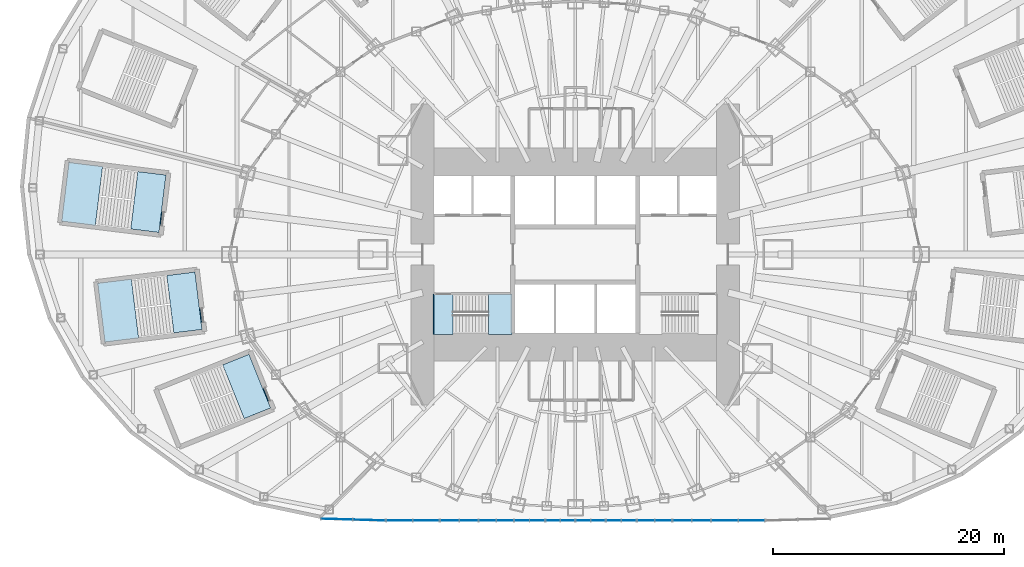
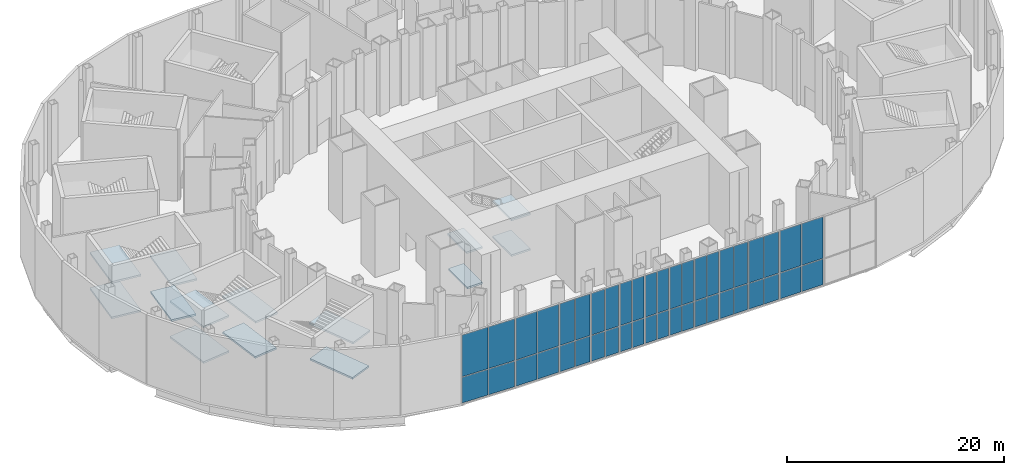
# One storey, part 11 of 74: 44 plates, 14 slabs, 15 elements without a shape of their own.
"""IFC4 building model written with IfcOpenShell, lengths in metres."""

from ifc_helpers import new_model, si_unit, direction, frame, origin, origin_2d, place, context, subcontext, project, spatial, polyline, rectangle, outline, extrude, material, layer, layer_set, type_object, element, aggregate, save


model = new_model("IFC4")

# Units and contexts
model_context = context("Model", 3, precision=1e-05, world=origin(), true_north=direction((0.0, 1.0)))
body_context = subcontext(model_context, "Body", "Model", "MODEL_VIEW")
ifc_project = project(units=[si_unit("LENGTHUNIT", "METRE"), si_unit("AREAUNIT", "SQUARE_METRE"), si_unit("VOLUMEUNIT", "CUBIC_METRE"), si_unit("PLANEANGLEUNIT", "RADIAN"), si_unit("MASSUNIT", "GRAM", prefix="KILO")], contexts=[model_context])

# Site, building, storey
site_placement = place(None, origin())
site = spatial("IfcSite", under=ifc_project, at=site_placement, CompositionType="ELEMENT")
building_placement = place(site_placement, origin())
building = spatial("IfcBuilding", under=site, at=building_placement, Name="Lantaw Convention Tower", CompositionType="ELEMENT")
storey_placement = place(building_placement, frame((0.0, 0.0, 6.5)))
storey = spatial("IfcBuildingStorey", under=building, at=storey_placement, Name="L01", CompositionType="ELEMENT", Elevation=6.5)

# Curtain wall, plates
ifc_material_1 = material(Name="Aluminium framed curtain wall", Category="aluminium")
curtain_wall_type = type_object("IfcCurtainWallType", Name="Podium storefront curtain wall, pale aluminium", PredefinedType="USERDEFINED", material=ifc_material_1)
curtain_wall_1_placement = place(storey_placement, origin())
curtain_wall_1 = element("IfcCurtainWall", 1, at=curtain_wall_1_placement, inside=storey, type_object=curtain_wall_type, Name="Podium storefront curtain wall, pale aluminium L01", ObjectType="STOREFRONT", PredefinedType="USERDEFINED")
ifc_material_2 = material(Name="Laminated clear glass", Category="glass")
ifc_layer_1 = layer(ifc_material_2, 0.031982421875)
ifc_layer_set_1 = layer_set([ifc_layer_1], Name="CW-P panel 32")
plate_type = type_object("IfcPlateType", Name="CW-P panel 32", PredefinedType="CURTAIN_PANEL", material=ifc_layer_set_1)
plate_1_placement = place(storey_placement, frame((-20.622802734375, -22.879638671875, 0.080078125), z_axis=(0.0, 0.0, 1.0), x_axis=(0.99959230263, -0.028552206976, 0.0)))
plate_1 = element("IfcPlate", 2, at=plate_1_placement, type_object=plate_type, Name="CW-P panel 1.1", PredefinedType="CURTAIN_PANEL", context=body_context, shape_type="SweptSolid", body=[
    extrude(rectangle(XDim=2.705810546875, YDim=0.031982421875, at=origin_2d()), origin(), (0.0, 0.0, 1.0), 2.8798828125),
])
plate_2_placement = place(storey_placement, frame((-20.622802734375, -22.879638671875, 3.0400390625), z_axis=(0.0, 0.0, 1.0), x_axis=(0.99959230263, -0.028552206976, 0.0)))
plate_2 = element("IfcPlate", 3, at=plate_2_placement, type_object=plate_type, Name="CW-P panel 1.2", PredefinedType="CURTAIN_PANEL", context=body_context, shape_type="SweptSolid", body=[
    extrude(rectangle(XDim=2.705810546875, YDim=0.031982421875, at=origin_2d()), origin(), (0.0, 0.0, 1.0), 4.679931640625),
])
plate_3_placement = place(storey_placement, frame((-17.838134765625, -22.958984375, 0.080078125), z_axis=(0.0, 0.0, 1.0), x_axis=(0.99959230263, -0.028552206976, 0.0)))
plate_3 = element("IfcPlate", 4, at=plate_3_placement, type_object=plate_type, Name="CW-P panel 2.1", PredefinedType="CURTAIN_PANEL", context=body_context, shape_type="SweptSolid", body=[
    extrude(rectangle(XDim=2.705810546875, YDim=0.031982421875, at=origin_2d()), origin(), (0.0, 0.0, 1.0), 2.8798828125),
])
plate_4_placement = place(storey_placement, frame((-17.838134765625, -22.958984375, 3.0400390625), z_axis=(0.0, 0.0, 1.0), x_axis=(0.99959230263, -0.028552206976, 0.0)))
plate_4 = element("IfcPlate", 5, at=plate_4_placement, type_object=plate_type, Name="CW-P panel 2.2", PredefinedType="CURTAIN_PANEL", context=body_context, shape_type="SweptSolid", body=[
    extrude(rectangle(XDim=2.705810546875, YDim=0.031982421875, at=origin_2d()), origin(), (0.0, 0.0, 1.0), 4.679931640625),
])
aggregate(curtain_wall_1, [plate_1, plate_2, plate_3, plate_4])

curtain_wall_2_placement = place(storey_placement, origin())
curtain_wall_2 = element("IfcCurtainWall", 6, at=curtain_wall_2_placement, inside=storey, type_object=curtain_wall_type, Name="Podium storefront curtain wall, pale aluminium L01", ObjectType="STOREFRONT", PredefinedType="USERDEFINED")
plate_5_placement = place(storey_placement, frame((-15.214111328125, -23.0, 0.080078125), z_axis=(0.0, 0.0, 1.0), x_axis=(1.0, 0.0, 0.0)))
plate_5 = element("IfcPlate", 7, at=plate_5_placement, type_object=plate_type, Name="CW-P panel 1.1", PredefinedType="CURTAIN_PANEL", context=body_context, shape_type="SweptSolid", body=[
    extrude(rectangle(XDim=2.223388671875, YDim=0.031982421875, at=origin_2d()), origin(), (0.0, 0.0, 1.0), 2.8798828125),
])
plate_6_placement = place(storey_placement, frame((-15.214111328125, -23.0, 3.0400390625), z_axis=(0.0, 0.0, 1.0), x_axis=(1.0, 0.0, 0.0)))
plate_6 = element("IfcPlate", 8, at=plate_6_placement, type_object=plate_type, Name="CW-P panel 1.2", PredefinedType="CURTAIN_PANEL", context=body_context, shape_type="SweptSolid", body=[
    extrude(rectangle(XDim=2.223388671875, YDim=0.031982421875, at=origin_2d()), origin(), (0.0, 0.0, 1.0), 4.679931640625),
])
plate_7_placement = place(storey_placement, frame((-12.91064453125, -23.0, 0.080078125), z_axis=(0.0, 0.0, 1.0), x_axis=(1.0, 0.0, 0.0)))
plate_7 = element("IfcPlate", 9, at=plate_7_placement, type_object=plate_type, Name="CW-P panel 2.1", PredefinedType="CURTAIN_PANEL", context=body_context, shape_type="SweptSolid", body=[
    extrude(rectangle(XDim=2.223388671875, YDim=0.031982421875, at=origin_2d()), origin(), (0.0, 0.0, 1.0), 2.8798828125),
])
plate_8_placement = place(storey_placement, frame((-12.91064453125, -23.0, 3.0400390625), z_axis=(0.0, 0.0, 1.0), x_axis=(1.0, 0.0, 0.0)))
plate_8 = element("IfcPlate", 10, at=plate_8_placement, type_object=plate_type, Name="CW-P panel 2.2", PredefinedType="CURTAIN_PANEL", context=body_context, shape_type="SweptSolid", body=[
    extrude(rectangle(XDim=2.223388671875, YDim=0.031982421875, at=origin_2d()), origin(), (0.0, 0.0, 1.0), 4.679931640625),
])
aggregate(curtain_wall_2, [plate_5, plate_6, plate_7, plate_8])

curtain_wall_3_placement = place(storey_placement, origin())
curtain_wall_3 = element("IfcCurtainWall", 11, at=curtain_wall_3_placement, inside=storey, type_object=curtain_wall_type, Name="Podium storefront curtain wall, pale aluminium L01", ObjectType="STOREFRONT", PredefinedType="USERDEFINED")
plate_9_placement = place(storey_placement, frame((-10.862060546875, -23.0, 0.080078125), z_axis=(0.0, 0.0, 1.0), x_axis=(1.0, 0.0, 0.0)))
plate_9 = element("IfcPlate", 12, at=plate_9_placement, type_object=plate_type, Name="CW-P panel 1.1", PredefinedType="CURTAIN_PANEL", context=body_context, shape_type="SweptSolid", body=[
    extrude(rectangle(XDim=1.553955078125, YDim=0.031982421875, at=origin_2d()), origin(), (0.0, 0.0, 1.0), 2.8798828125),
])
plate_10_placement = place(storey_placement, frame((-10.862060546875, -23.0, 3.0400390625), z_axis=(0.0, 0.0, 1.0), x_axis=(1.0, 0.0, 0.0)))
plate_10 = element("IfcPlate", 13, at=plate_10_placement, type_object=plate_type, Name="CW-P panel 1.2", PredefinedType="CURTAIN_PANEL", context=body_context, shape_type="SweptSolid", body=[
    extrude(rectangle(XDim=1.553955078125, YDim=0.031982421875, at=origin_2d()), origin(), (0.0, 0.0, 1.0), 4.679931640625),
])
plate_11_placement = place(storey_placement, frame((-9.228271484375, -23.0, 0.080078125), z_axis=(0.0, 0.0, 1.0), x_axis=(1.0, 0.0, 0.0)))
plate_11 = element("IfcPlate", 14, at=plate_11_placement, type_object=plate_type, Name="CW-P panel 2.1", PredefinedType="CURTAIN_PANEL", context=body_context, shape_type="SweptSolid", body=[
    extrude(rectangle(XDim=1.553955078125, YDim=0.031982421875, at=origin_2d()), origin(), (0.0, 0.0, 1.0), 2.8798828125),
])
plate_12_placement = place(storey_placement, frame((-9.228271484375, -23.0, 3.0400390625), z_axis=(0.0, 0.0, 1.0), x_axis=(1.0, 0.0, 0.0)))
plate_12 = element("IfcPlate", 15, at=plate_12_placement, type_object=plate_type, Name="CW-P panel 2.2", PredefinedType="CURTAIN_PANEL", context=body_context, shape_type="SweptSolid", body=[
    extrude(rectangle(XDim=1.553955078125, YDim=0.031982421875, at=origin_2d()), origin(), (0.0, 0.0, 1.0), 4.679931640625),
])
aggregate(curtain_wall_3, [plate_9, plate_10, plate_11, plate_12])

curtain_wall_4_placement = place(storey_placement, origin())
curtain_wall_4 = element("IfcCurtainWall", 16, at=curtain_wall_4_placement, inside=storey, type_object=curtain_wall_type, Name="Podium storefront curtain wall, pale aluminium L01", ObjectType="STOREFRONT", PredefinedType="USERDEFINED")
plate_13_placement = place(storey_placement, frame((-7.5859375, -23.0, 0.080078125), z_axis=(0.0, 0.0, 1.0), x_axis=(1.0, 0.0, 0.0)))
plate_13 = element("IfcPlate", 17, at=plate_13_placement, type_object=plate_type, Name="CW-P panel 1.1", PredefinedType="CURTAIN_PANEL", context=body_context, shape_type="SweptSolid", body=[
    extrude(rectangle(XDim=1.41064453125, YDim=0.031982421875, at=origin_2d()), origin(), (0.0, 0.0, 1.0), 2.8798828125),
])
plate_14_placement = place(storey_placement, frame((-7.5859375, -23.0, 3.0400390625), z_axis=(0.0, 0.0, 1.0), x_axis=(1.0, 0.0, 0.0)))
plate_14 = element("IfcPlate", 18, at=plate_14_placement, type_object=plate_type, Name="CW-P panel 1.2", PredefinedType="CURTAIN_PANEL", context=body_context, shape_type="SweptSolid", body=[
    extrude(rectangle(XDim=1.41064453125, YDim=0.031982421875, at=origin_2d()), origin(), (0.0, 0.0, 1.0), 4.679931640625),
])
plate_15_placement = place(storey_placement, frame((-6.09521484375, -23.0, 0.080078125), z_axis=(0.0, 0.0, 1.0), x_axis=(1.0, 0.0, 0.0)))
plate_15 = element("IfcPlate", 19, at=plate_15_placement, type_object=plate_type, Name="CW-P panel 2.1", PredefinedType="CURTAIN_PANEL", context=body_context, shape_type="SweptSolid", body=[
    extrude(rectangle(XDim=1.41064453125, YDim=0.031982421875, at=origin_2d()), origin(), (0.0, 0.0, 1.0), 2.8798828125),
])
plate_16_placement = place(storey_placement, frame((-6.09521484375, -23.0, 3.0400390625), z_axis=(0.0, 0.0, 1.0), x_axis=(1.0, 0.0, 0.0)))
plate_16 = element("IfcPlate", 20, at=plate_16_placement, type_object=plate_type, Name="CW-P panel 2.2", PredefinedType="CURTAIN_PANEL", context=body_context, shape_type="SweptSolid", body=[
    extrude(rectangle(XDim=1.41064453125, YDim=0.031982421875, at=origin_2d()), origin(), (0.0, 0.0, 1.0), 4.679931640625),
])
aggregate(curtain_wall_4, [plate_13, plate_14, plate_15, plate_16])

curtain_wall_5_placement = place(storey_placement, origin())
curtain_wall_5 = element("IfcCurtainWall", 21, at=curtain_wall_5_placement, inside=storey, type_object=curtain_wall_type, Name="Podium storefront curtain wall, pale aluminium L01", ObjectType="STOREFRONT", PredefinedType="USERDEFINED")
plate_17_placement = place(storey_placement, frame((-4.61767578125, -23.0, 0.080078125), z_axis=(0.0, 0.0, 1.0), x_axis=(1.0, 0.0, 0.0)))
plate_17 = element("IfcPlate", 22, at=plate_17_placement, type_object=plate_type, Name="CW-P panel 1.1", PredefinedType="CURTAIN_PANEL", context=body_context, shape_type="SweptSolid", body=[
    extrude(rectangle(XDim=1.224609375, YDim=0.031982421875, at=origin_2d()), origin(), (0.0, 0.0, 1.0), 2.8798828125),
])
plate_18_placement = place(storey_placement, frame((-4.61767578125, -23.0, 3.0400390625), z_axis=(0.0, 0.0, 1.0), x_axis=(1.0, 0.0, 0.0)))
plate_18 = element("IfcPlate", 23, at=plate_18_placement, type_object=plate_type, Name="CW-P panel 1.2", PredefinedType="CURTAIN_PANEL", context=body_context, shape_type="SweptSolid", body=[
    extrude(rectangle(XDim=1.224609375, YDim=0.031982421875, at=origin_2d()), origin(), (0.0, 0.0, 1.0), 4.679931640625),
])
plate_19_placement = place(storey_placement, frame((-3.31298828125, -23.0, 0.080078125), z_axis=(0.0, 0.0, 1.0), x_axis=(1.0, 0.0, 0.0)))
plate_19 = element("IfcPlate", 24, at=plate_19_placement, type_object=plate_type, Name="CW-P panel 2.1", PredefinedType="CURTAIN_PANEL", context=body_context, shape_type="SweptSolid", body=[
    extrude(rectangle(XDim=1.224609375, YDim=0.031982421875, at=origin_2d()), origin(), (0.0, 0.0, 1.0), 2.8798828125),
])
plate_20_placement = place(storey_placement, frame((-3.31298828125, -23.0, 3.0400390625), z_axis=(0.0, 0.0, 1.0), x_axis=(1.0, 0.0, 0.0)))
plate_20 = element("IfcPlate", 25, at=plate_20_placement, type_object=plate_type, Name="CW-P panel 2.2", PredefinedType="CURTAIN_PANEL", context=body_context, shape_type="SweptSolid", body=[
    extrude(rectangle(XDim=1.224609375, YDim=0.031982421875, at=origin_2d()), origin(), (0.0, 0.0, 1.0), 4.679931640625),
])
aggregate(curtain_wall_5, [plate_17, plate_18, plate_19, plate_20])

curtain_wall_6_placement = place(storey_placement, origin())
curtain_wall_6 = element("IfcCurtainWall", 26, at=curtain_wall_6_placement, inside=storey, type_object=curtain_wall_type, Name="Podium storefront curtain wall, pale aluminium L01", ObjectType="STOREFRONT", PredefinedType="USERDEFINED")
plate_21_placement = place(storey_placement, frame((-1.9453125, -23.0, 0.080078125), z_axis=(0.0, 0.0, 1.0), x_axis=(1.0, 0.0, 0.0)))
plate_21 = element("IfcPlate", 27, at=plate_21_placement, type_object=plate_type, Name="CW-P panel 1.1", PredefinedType="CURTAIN_PANEL", context=body_context, shape_type="SweptSolid", body=[
    extrude(rectangle(XDim=1.190185546875, YDim=0.031982421875, at=origin_2d()), origin(), (0.0, 0.0, 1.0), 2.8798828125),
])
plate_22_placement = place(storey_placement, frame((-1.9453125, -23.0, 3.0400390625), z_axis=(0.0, 0.0, 1.0), x_axis=(1.0, 0.0, 0.0)))
plate_22 = element("IfcPlate", 28, at=plate_22_placement, type_object=plate_type, Name="CW-P panel 1.2", PredefinedType="CURTAIN_PANEL", context=body_context, shape_type="SweptSolid", body=[
    extrude(rectangle(XDim=1.190185546875, YDim=0.031982421875, at=origin_2d()), origin(), (0.0, 0.0, 1.0), 4.679931640625),
])
plate_23_placement = place(storey_placement, frame((-0.675048828125, -23.0, 0.080078125), z_axis=(0.0, 0.0, 1.0), x_axis=(1.0, 0.0, 0.0)))
plate_23 = element("IfcPlate", 29, at=plate_23_placement, type_object=plate_type, Name="CW-P panel 2.1", PredefinedType="CURTAIN_PANEL", context=body_context, shape_type="SweptSolid", body=[
    extrude(rectangle(XDim=1.190185546875, YDim=0.031982421875, at=origin_2d()), origin(), (0.0, 0.0, 1.0), 2.8798828125),
])
plate_24_placement = place(storey_placement, frame((-0.675048828125, -23.0, 3.0400390625), z_axis=(0.0, 0.0, 1.0), x_axis=(1.0, 0.0, 0.0)))
plate_24 = element("IfcPlate", 30, at=plate_24_placement, type_object=plate_type, Name="CW-P panel 2.2", PredefinedType="CURTAIN_PANEL", context=body_context, shape_type="SweptSolid", body=[
    extrude(rectangle(XDim=1.190185546875, YDim=0.031982421875, at=origin_2d()), origin(), (0.0, 0.0, 1.0), 4.679931640625),
])
aggregate(curtain_wall_6, [plate_21, plate_22, plate_23, plate_24])

curtain_wall_7_placement = place(storey_placement, origin())
curtain_wall_7 = element("IfcCurtainWall", 31, at=curtain_wall_7_placement, inside=storey, type_object=curtain_wall_type, Name="Podium storefront curtain wall, pale aluminium L01", ObjectType="STOREFRONT", PredefinedType="USERDEFINED")
plate_25_placement = place(storey_placement, frame((0.675048828125, -23.0, 0.080078125), z_axis=(0.0, 0.0, 1.0), x_axis=(1.0, 0.0, 0.0)))
plate_25 = element("IfcPlate", 32, at=plate_25_placement, type_object=plate_type, Name="CW-P panel 1.1", PredefinedType="CURTAIN_PANEL", context=body_context, shape_type="SweptSolid", body=[
    extrude(rectangle(XDim=1.190185546875, YDim=0.031982421875, at=origin_2d()), origin(), (0.0, 0.0, 1.0), 2.8798828125),
])
plate_26_placement = place(storey_placement, frame((0.675048828125, -23.0, 3.0400390625), z_axis=(0.0, 0.0, 1.0), x_axis=(1.0, 0.0, 0.0)))
plate_26 = element("IfcPlate", 33, at=plate_26_placement, type_object=plate_type, Name="CW-P panel 1.2", PredefinedType="CURTAIN_PANEL", context=body_context, shape_type="SweptSolid", body=[
    extrude(rectangle(XDim=1.190185546875, YDim=0.031982421875, at=origin_2d()), origin(), (0.0, 0.0, 1.0), 4.679931640625),
])
plate_27_placement = place(storey_placement, frame((1.9453125, -23.0, 0.080078125), z_axis=(0.0, 0.0, 1.0), x_axis=(1.0, 0.0, 0.0)))
plate_27 = element("IfcPlate", 34, at=plate_27_placement, type_object=plate_type, Name="CW-P panel 2.1", PredefinedType="CURTAIN_PANEL", context=body_context, shape_type="SweptSolid", body=[
    extrude(rectangle(XDim=1.190185546875, YDim=0.031982421875, at=origin_2d()), origin(), (0.0, 0.0, 1.0), 2.8798828125),
])
plate_28_placement = place(storey_placement, frame((1.9453125, -23.0, 3.0400390625), z_axis=(0.0, 0.0, 1.0), x_axis=(1.0, 0.0, 0.0)))
plate_28 = element("IfcPlate", 35, at=plate_28_placement, type_object=plate_type, Name="CW-P panel 2.2", PredefinedType="CURTAIN_PANEL", context=body_context, shape_type="SweptSolid", body=[
    extrude(rectangle(XDim=1.190185546875, YDim=0.031982421875, at=origin_2d()), origin(), (0.0, 0.0, 1.0), 4.679931640625),
])
aggregate(curtain_wall_7, [plate_25, plate_26, plate_27, plate_28])

curtain_wall_8_placement = place(storey_placement, origin())
curtain_wall_8 = element("IfcCurtainWall", 36, at=curtain_wall_8_placement, inside=storey, type_object=curtain_wall_type, Name="Podium storefront curtain wall, pale aluminium L01", ObjectType="STOREFRONT", PredefinedType="USERDEFINED")
plate_29_placement = place(storey_placement, frame((3.31298828125, -23.0, 0.080078125), z_axis=(0.0, 0.0, 1.0), x_axis=(1.0, 0.0, 0.0)))
plate_29 = element("IfcPlate", 37, at=plate_29_placement, type_object=plate_type, Name="CW-P panel 1.1", PredefinedType="CURTAIN_PANEL", context=body_context, shape_type="SweptSolid", body=[
    extrude(rectangle(XDim=1.224609375, YDim=0.031982421875, at=origin_2d()), origin(), (0.0, 0.0, 1.0), 2.8798828125),
])
plate_30_placement = place(storey_placement, frame((3.31298828125, -23.0, 3.0400390625), z_axis=(0.0, 0.0, 1.0), x_axis=(1.0, 0.0, 0.0)))
plate_30 = element("IfcPlate", 38, at=plate_30_placement, type_object=plate_type, Name="CW-P panel 1.2", PredefinedType="CURTAIN_PANEL", context=body_context, shape_type="SweptSolid", body=[
    extrude(rectangle(XDim=1.224609375, YDim=0.031982421875, at=origin_2d()), origin(), (0.0, 0.0, 1.0), 4.679931640625),
])
plate_31_placement = place(storey_placement, frame((4.61767578125, -23.0, 0.080078125), z_axis=(0.0, 0.0, 1.0), x_axis=(1.0, 0.0, 0.0)))
plate_31 = element("IfcPlate", 39, at=plate_31_placement, type_object=plate_type, Name="CW-P panel 2.1", PredefinedType="CURTAIN_PANEL", context=body_context, shape_type="SweptSolid", body=[
    extrude(rectangle(XDim=1.224609375, YDim=0.031982421875, at=origin_2d()), origin(), (0.0, 0.0, 1.0), 2.8798828125),
])
plate_32_placement = place(storey_placement, frame((4.61767578125, -23.0, 3.0400390625), z_axis=(0.0, 0.0, 1.0), x_axis=(1.0, 0.0, 0.0)))
plate_32 = element("IfcPlate", 40, at=plate_32_placement, type_object=plate_type, Name="CW-P panel 2.2", PredefinedType="CURTAIN_PANEL", context=body_context, shape_type="SweptSolid", body=[
    extrude(rectangle(XDim=1.224609375, YDim=0.031982421875, at=origin_2d()), origin(), (0.0, 0.0, 1.0), 4.679931640625),
])
aggregate(curtain_wall_8, [plate_29, plate_30, plate_31, plate_32])

curtain_wall_9_placement = place(storey_placement, origin())
curtain_wall_9 = element("IfcCurtainWall", 41, at=curtain_wall_9_placement, inside=storey, type_object=curtain_wall_type, Name="Podium storefront curtain wall, pale aluminium L01", ObjectType="STOREFRONT", PredefinedType="USERDEFINED")
plate_33_placement = place(storey_placement, frame((6.09521484375, -23.0, 0.080078125), z_axis=(0.0, 0.0, 1.0), x_axis=(1.0, 0.0, 0.0)))
plate_33 = element("IfcPlate", 42, at=plate_33_placement, type_object=plate_type, Name="CW-P panel 1.1", PredefinedType="CURTAIN_PANEL", context=body_context, shape_type="SweptSolid", body=[
    extrude(rectangle(XDim=1.41064453125, YDim=0.031982421875, at=origin_2d()), origin(), (0.0, 0.0, 1.0), 2.8798828125),
])
plate_34_placement = place(storey_placement, frame((6.09521484375, -23.0, 3.0400390625), z_axis=(0.0, 0.0, 1.0), x_axis=(1.0, 0.0, 0.0)))
plate_34 = element("IfcPlate", 43, at=plate_34_placement, type_object=plate_type, Name="CW-P panel 1.2", PredefinedType="CURTAIN_PANEL", context=body_context, shape_type="SweptSolid", body=[
    extrude(rectangle(XDim=1.41064453125, YDim=0.031982421875, at=origin_2d()), origin(), (0.0, 0.0, 1.0), 4.679931640625),
])
plate_35_placement = place(storey_placement, frame((7.5859375, -23.0, 0.080078125), z_axis=(0.0, 0.0, 1.0), x_axis=(1.0, 0.0, 0.0)))
plate_35 = element("IfcPlate", 44, at=plate_35_placement, type_object=plate_type, Name="CW-P panel 2.1", PredefinedType="CURTAIN_PANEL", context=body_context, shape_type="SweptSolid", body=[
    extrude(rectangle(XDim=1.41064453125, YDim=0.031982421875, at=origin_2d()), origin(), (0.0, 0.0, 1.0), 2.8798828125),
])
plate_36_placement = place(storey_placement, frame((7.5859375, -23.0, 3.0400390625), z_axis=(0.0, 0.0, 1.0), x_axis=(1.0, 0.0, 0.0)))
plate_36 = element("IfcPlate", 45, at=plate_36_placement, type_object=plate_type, Name="CW-P panel 2.2", PredefinedType="CURTAIN_PANEL", context=body_context, shape_type="SweptSolid", body=[
    extrude(rectangle(XDim=1.41064453125, YDim=0.031982421875, at=origin_2d()), origin(), (0.0, 0.0, 1.0), 4.679931640625),
])
aggregate(curtain_wall_9, [plate_33, plate_34, plate_35, plate_36])

curtain_wall_10_placement = place(storey_placement, origin())
curtain_wall_10 = element("IfcCurtainWall", 46, at=curtain_wall_10_placement, inside=storey, type_object=curtain_wall_type, Name="Podium storefront curtain wall, pale aluminium L01", ObjectType="STOREFRONT", PredefinedType="USERDEFINED")
plate_37_placement = place(storey_placement, frame((9.228271484375, -23.0, 0.080078125), z_axis=(0.0, 0.0, 1.0), x_axis=(1.0, 0.0, 0.0)))
plate_37 = element("IfcPlate", 47, at=plate_37_placement, type_object=plate_type, Name="CW-P panel 1.1", PredefinedType="CURTAIN_PANEL", context=body_context, shape_type="SweptSolid", body=[
    extrude(rectangle(XDim=1.553955078125, YDim=0.031982421875, at=origin_2d()), origin(), (0.0, 0.0, 1.0), 2.8798828125),
])
plate_38_placement = place(storey_placement, frame((9.228271484375, -23.0, 3.0400390625), z_axis=(0.0, 0.0, 1.0), x_axis=(1.0, 0.0, 0.0)))
plate_38 = element("IfcPlate", 48, at=plate_38_placement, type_object=plate_type, Name="CW-P panel 1.2", PredefinedType="CURTAIN_PANEL", context=body_context, shape_type="SweptSolid", body=[
    extrude(rectangle(XDim=1.553955078125, YDim=0.031982421875, at=origin_2d()), origin(), (0.0, 0.0, 1.0), 4.679931640625),
])
plate_39_placement = place(storey_placement, frame((10.862060546875, -23.0, 0.080078125), z_axis=(0.0, 0.0, 1.0), x_axis=(1.0, 0.0, 0.0)))
plate_39 = element("IfcPlate", 49, at=plate_39_placement, type_object=plate_type, Name="CW-P panel 2.1", PredefinedType="CURTAIN_PANEL", context=body_context, shape_type="SweptSolid", body=[
    extrude(rectangle(XDim=1.553955078125, YDim=0.031982421875, at=origin_2d()), origin(), (0.0, 0.0, 1.0), 2.8798828125),
])
plate_40_placement = place(storey_placement, frame((10.862060546875, -23.0, 3.0400390625), z_axis=(0.0, 0.0, 1.0), x_axis=(1.0, 0.0, 0.0)))
plate_40 = element("IfcPlate", 50, at=plate_40_placement, type_object=plate_type, Name="CW-P panel 2.2", PredefinedType="CURTAIN_PANEL", context=body_context, shape_type="SweptSolid", body=[
    extrude(rectangle(XDim=1.553955078125, YDim=0.031982421875, at=origin_2d()), origin(), (0.0, 0.0, 1.0), 4.679931640625),
])
aggregate(curtain_wall_10, [plate_37, plate_38, plate_39, plate_40])

curtain_wall_11_placement = place(storey_placement, origin())
curtain_wall_11 = element("IfcCurtainWall", 51, at=curtain_wall_11_placement, inside=storey, type_object=curtain_wall_type, Name="Podium storefront curtain wall, pale aluminium L01", ObjectType="STOREFRONT", PredefinedType="USERDEFINED")
plate_41_placement = place(storey_placement, frame((12.91064453125, -23.0, 0.080078125), z_axis=(0.0, 0.0, 1.0), x_axis=(1.0, 0.0, 0.0)))
plate_41 = element("IfcPlate", 52, at=plate_41_placement, type_object=plate_type, Name="CW-P panel 1.1", PredefinedType="CURTAIN_PANEL", context=body_context, shape_type="SweptSolid", body=[
    extrude(rectangle(XDim=2.223388671875, YDim=0.031982421875, at=origin_2d()), origin(), (0.0, 0.0, 1.0), 2.8798828125),
])
plate_42_placement = place(storey_placement, frame((12.91064453125, -23.0, 3.0400390625), z_axis=(0.0, 0.0, 1.0), x_axis=(1.0, 0.0, 0.0)))
plate_42 = element("IfcPlate", 53, at=plate_42_placement, type_object=plate_type, Name="CW-P panel 1.2", PredefinedType="CURTAIN_PANEL", context=body_context, shape_type="SweptSolid", body=[
    extrude(rectangle(XDim=2.223388671875, YDim=0.031982421875, at=origin_2d()), origin(), (0.0, 0.0, 1.0), 4.679931640625),
])
plate_43_placement = place(storey_placement, frame((15.214111328125, -23.0, 0.080078125), z_axis=(0.0, 0.0, 1.0), x_axis=(1.0, 0.0, 0.0)))
plate_43 = element("IfcPlate", 54, at=plate_43_placement, type_object=plate_type, Name="CW-P panel 2.1", PredefinedType="CURTAIN_PANEL", context=body_context, shape_type="SweptSolid", body=[
    extrude(rectangle(XDim=2.223388671875, YDim=0.031982421875, at=origin_2d()), origin(), (0.0, 0.0, 1.0), 2.8798828125),
])
plate_44_placement = place(storey_placement, frame((15.214111328125, -23.0, 3.0400390625), z_axis=(0.0, 0.0, 1.0), x_axis=(1.0, 0.0, 0.0)))
plate_44 = element("IfcPlate", 55, at=plate_44_placement, type_object=plate_type, Name="CW-P panel 2.2", PredefinedType="CURTAIN_PANEL", context=body_context, shape_type="SweptSolid", body=[
    extrude(rectangle(XDim=2.223388671875, YDim=0.031982421875, at=origin_2d()), origin(), (0.0, 0.0, 1.0), 4.679931640625),
])
aggregate(curtain_wall_11, [plate_41, plate_42, plate_43, plate_44])

# Stair, slabs
ifc_material_3 = material(Name="Concrete C35/45", Category="concrete")
stair_type_1 = type_object("IfcStairType", Name="Exit stair 1500 riser 166.67 in 4 flights", PredefinedType="HALF_TURN_STAIR", material=ifc_material_3)
stair_1_placement = place(storey_placement, origin())
stair_1 = element("IfcStair", 56, at=stair_1_placement, inside=storey, type_object=stair_type_1, Name="Exit stair S1 L01", PredefinedType="HALF_TURN_STAIR")
ifc_layer_2 = layer(ifc_material_3, 0.199951171875)
ifc_layer_set_2 = layer_set([ifc_layer_2], Name="Stair landing 200")
slab_type = type_object("IfcSlabType", Name="Stair landing 200", PredefinedType="LANDING", material=ifc_layer_set_2)
slab_1_placement = place(storey_placement, frame((0.0, 0.0, -0.199951171875)))
slab_1 = element("IfcSlab", 57, at=slab_1_placement, type_object=slab_type, Name="S1 landing 1", PredefinedType="LANDING", context=body_context, shape_type="SweptSolid", body=[
    extrude(outline(polyline([(-12.199951171875, -6.89990234375), (-10.580078125, -6.89990234375), (-10.580078125, -3.39990234375), (-12.199951171875, -3.39990234375), (-12.199951171875, -6.89990234375)])), origin(), (0.0, 0.0, 1.0), 0.199951171875),
])
slab_2_placement = place(storey_placement, frame((0.0, 0.0, 1.800048828125)))
slab_2 = element("IfcSlab", 58, at=slab_2_placement, type_object=slab_type, Name="S1 landing 2", PredefinedType="LANDING", context=body_context, shape_type="SweptSolid", body=[
    extrude(outline(polyline([(-7.5, -6.89990234375), (-5.5, -6.89990234375), (-5.5, -3.39990234375), (-7.5, -3.39990234375), (-7.5, -6.89990234375)])), origin(), (0.0, 0.0, 1.0), 0.199951171875),
])
slab_3_placement = place(storey_placement, frame((0.0, 0.0, 3.800048828125)))
slab_3 = element("IfcSlab", 59, at=slab_3_placement, type_object=slab_type, Name="S1 landing 3", PredefinedType="LANDING", context=body_context, shape_type="SweptSolid", body=[
    extrude(outline(polyline([(-12.300048828125, -6.89990234375), (-10.580078125, -6.89990234375), (-10.580078125, -3.39990234375), (-12.300048828125, -3.39990234375), (-12.300048828125, -6.89990234375)])), origin(), (0.0, 0.0, 1.0), 0.199951171875),
])
slab_4_placement = place(storey_placement, frame((0.0, 0.0, 5.800048828125)))
slab_4 = element("IfcSlab", 60, at=slab_4_placement, type_object=slab_type, Name="S1 landing 4", PredefinedType="LANDING", context=body_context, shape_type="SweptSolid", body=[
    extrude(outline(polyline([(-7.5, -6.89990234375), (-5.5, -6.89990234375), (-5.5, -3.39990234375), (-7.5, -3.39990234375), (-7.5, -6.89990234375)])), origin(), (0.0, 0.0, 1.0), 0.199951171875),
])
aggregate(stair_1, [slab_1, slab_2, slab_3, slab_4])

stair_type_2 = type_object("IfcStairType", Name="Exit stair 2400 riser 166.67 in 4 flights", PredefinedType="HALF_TURN_STAIR", material=ifc_material_3)
stair_2_placement = place(storey_placement, origin())
stair_2 = element("IfcStair", 61, at=stair_2_placement, inside=storey, type_object=stair_type_2, Name="Podium exit stair P9 L01", PredefinedType="HALF_TURN_STAIR")
slab_5_placement = place(storey_placement, frame((0.0, 0.0, -0.199951171875)))
slab_5 = element("IfcSlab", 62, at=slab_5_placement, type_object=slab_type, Name="P9 landing 1", PredefinedType="LANDING", context=body_context, shape_type="SweptSolid", body=[
    extrude(outline(polyline([(-35.387451171875, 6.86376953125), (-37.8212890625, 7.16259765625), (-38.4306640625, 2.199951171875), (-35.996826171875, 1.901123046875), (-35.387451171875, 6.86376953125)])), origin(), (0.0, 0.0, 1.0), 0.199951171875),
])
slab_6_placement = place(storey_placement, frame((0.0, 0.0, 1.800048828125)))
slab_6 = element("IfcSlab", 63, at=slab_6_placement, type_object=slab_type, Name="P9 landing 2", PredefinedType="LANDING", context=body_context, shape_type="SweptSolid", body=[
    extrude(outline(polyline([(-40.864501953125, 7.616943359375), (-43.794677734375, 7.9765625), (-44.42333984375, 2.855224609375), (-41.493408203125, 2.495361328125), (-40.864501953125, 7.616943359375)])), origin(), (0.0, 0.0, 1.0), 0.199951171875),
])
slab_7_placement = place(storey_placement, frame((0.0, 0.0, 3.800048828125)))
slab_7 = element("IfcSlab", 64, at=slab_7_placement, type_object=slab_type, Name="P9 landing 3", PredefinedType="LANDING", context=body_context, shape_type="SweptSolid", body=[
    extrude(outline(polyline([(-35.29833984375, 6.93359375), (-37.8115234375, 7.241943359375), (-38.4404296875, 2.12060546875), (-35.92724609375, 1.81201171875), (-35.29833984375, 6.93359375)])), origin(), (0.0, 0.0, 1.0), 0.199951171875),
])
slab_8_placement = place(storey_placement, frame((0.0, 0.0, 5.800048828125)))
slab_8 = element("IfcSlab", 65, at=slab_8_placement, type_object=slab_type, Name="P9 landing 4", PredefinedType="LANDING", context=body_context, shape_type="SweptSolid", body=[
    extrude(outline(polyline([(-40.864501953125, 7.616943359375), (-43.794677734375, 7.9765625), (-44.42333984375, 2.855224609375), (-41.493408203125, 2.495361328125), (-40.864501953125, 7.616943359375)])), origin(), (0.0, 0.0, 1.0), 0.199951171875),
])
aggregate(stair_2, [slab_5, slab_6, slab_7, slab_8])

stair_3_placement = place(storey_placement, origin())
stair_3 = element("IfcStair", 66, at=stair_3_placement, inside=storey, type_object=stair_type_2, Name="Podium exit stair P10 L01", PredefinedType="HALF_TURN_STAIR")
slab_9_placement = place(storey_placement, frame((0.0, 0.0, -0.199951171875)))
slab_9 = element("IfcSlab", 67, at=slab_9_placement, type_object=slab_type, Name="P10 landing 1", PredefinedType="LANDING", context=body_context, shape_type="SweptSolid", body=[
    extrude(outline(polyline([(-32.8828125, -1.518798828125), (-35.31640625, -1.817626953125), (-34.70703125, -6.7802734375), (-32.2734375, -6.4814453125), (-32.8828125, -1.518798828125)])), origin(), (0.0, 0.0, 1.0), 0.199951171875),
])
slab_10_placement = place(storey_placement, frame((0.0, 0.0, 1.800048828125)))
slab_10 = element("IfcSlab", 68, at=slab_10_placement, type_object=slab_type, Name="P10 landing 2", PredefinedType="LANDING", context=body_context, shape_type="SweptSolid", body=[
    extrude(outline(polyline([(-38.37939453125, -2.113037109375), (-41.309326171875, -2.47265625), (-40.680419921875, -7.59423828125), (-37.75048828125, -7.234619140625), (-38.37939453125, -2.113037109375)])), origin(), (0.0, 0.0, 1.0), 0.199951171875),
])
slab_11_placement = place(storey_placement, frame((0.0, 0.0, 3.800048828125)))
slab_11 = element("IfcSlab", 69, at=slab_11_placement, type_object=slab_type, Name="P10 landing 3", PredefinedType="LANDING", context=body_context, shape_type="SweptSolid", body=[
    extrude(outline(polyline([(-32.81298828125, -1.4296875), (-35.326171875, -1.738037109375), (-34.697265625, -6.859619140625), (-32.184326171875, -6.551025390625), (-32.81298828125, -1.4296875)])), origin(), (0.0, 0.0, 1.0), 0.199951171875),
])
slab_12_placement = place(storey_placement, frame((0.0, 0.0, 5.800048828125)))
slab_12 = element("IfcSlab", 70, at=slab_12_placement, type_object=slab_type, Name="P10 landing 4", PredefinedType="LANDING", context=body_context, shape_type="SweptSolid", body=[
    extrude(outline(polyline([(-38.37939453125, -2.113037109375), (-41.309326171875, -2.47265625), (-40.680419921875, -7.59423828125), (-37.75048828125, -7.234619140625), (-38.37939453125, -2.113037109375)])), origin(), (0.0, 0.0, 1.0), 0.199951171875),
])
aggregate(stair_3, [slab_9, slab_10, slab_11, slab_12])

stair_4_placement = place(storey_placement, origin())
stair_4 = element("IfcStair", 71, at=stair_4_placement, inside=storey, type_object=stair_type_2, Name="Podium exit stair P11 L01", PredefinedType="HALF_TURN_STAIR")
slab_13_placement = place(storey_placement, frame((0.0, 0.0, -0.199951171875)))
slab_13 = element("IfcSlab", 72, at=slab_13_placement, type_object=slab_type, Name="P11 landing 1", PredefinedType="LANDING", context=body_context, shape_type="SweptSolid", body=[
    extrude(outline(polyline([(-28.209716796875, -8.630615234375), (-30.4853515625, -9.544189453125), (-28.62255859375, -14.18408203125), (-26.346923828125, -13.270751953125), (-28.209716796875, -8.630615234375)])), origin(), (0.0, 0.0, 1.0), 0.199951171875),
])
slab_14_placement = place(storey_placement, frame((0.0, 0.0, 3.800048828125)))
slab_14 = element("IfcSlab", 73, at=slab_14_placement, type_object=slab_type, Name="P11 landing 3", PredefinedType="LANDING", context=body_context, shape_type="SweptSolid", body=[
    extrude(outline(polyline([(-28.165283203125, -8.526611328125), (-30.51513671875, -9.4697265625), (-28.5927734375, -14.25830078125), (-26.242919921875, -13.315185546875), (-28.165283203125, -8.526611328125)])), origin(), (0.0, 0.0, 1.0), 0.199951171875),
])
aggregate(stair_4, [slab_13, slab_14])

save(model, "model.ifc")
